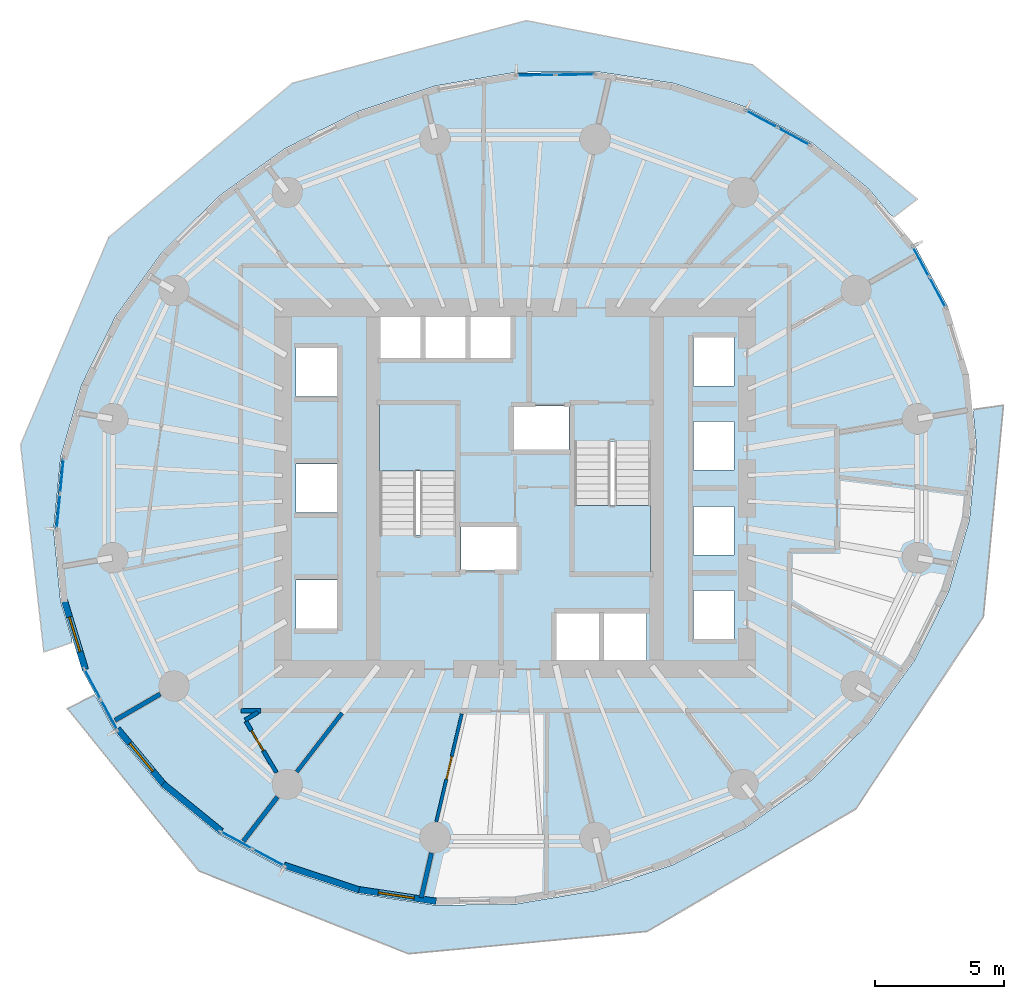
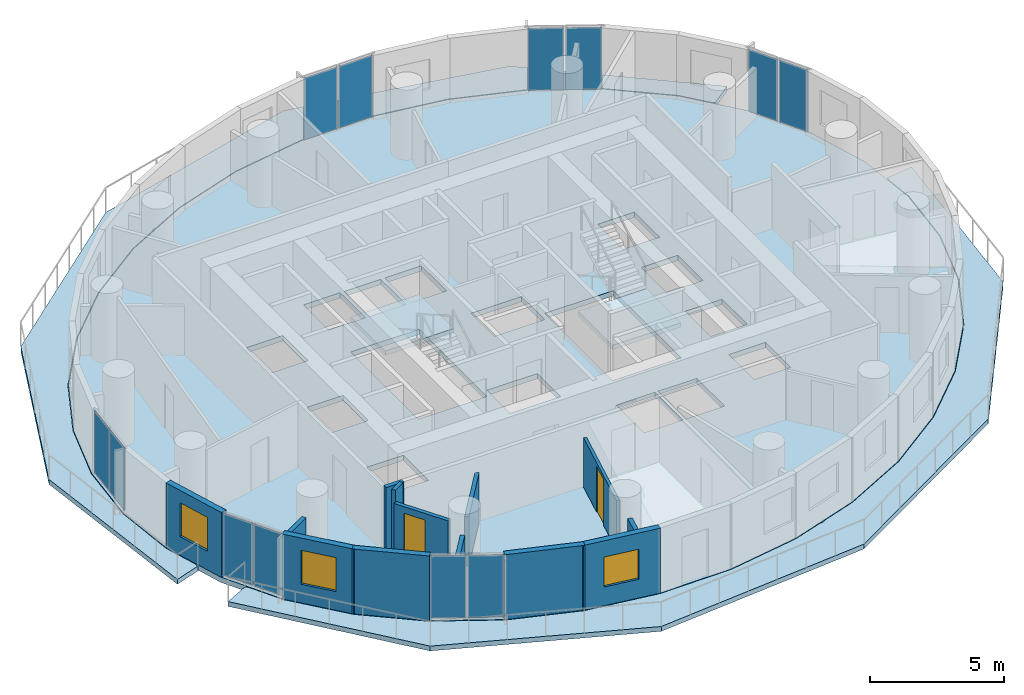
# One storey, part 6 of 14: 13 walls, 12 plates, 5 slabs, 3 windows, 2 doors, 5 openings, 8 elements without a shape of their own.
"""IFC4 building model written with IfcOpenShell, lengths in metres."""

from ifc_helpers import new_model, si_unit, direction, frame, frame_2d, origin, origin_2d, place, context, subcontext, project, spatial, polyline, rectangle, outline, extrude, material, layer, layer_set, type_object, element, fill, aggregate, save


model = new_model("IFC4")

# Units and contexts
model_context = context("Model", 3, precision=1e-05, world=origin(), true_north=direction((0.0, 1.0)))
body_context = subcontext(model_context, "Body", "Model", "MODEL_VIEW")
ifc_project = project(units=[si_unit("LENGTHUNIT", "METRE"), si_unit("AREAUNIT", "SQUARE_METRE"), si_unit("VOLUMEUNIT", "CUBIC_METRE"), si_unit("PLANEANGLEUNIT", "RADIAN"), si_unit("MASSUNIT", "GRAM", prefix="KILO")], contexts=[model_context])

# Site, building, storey
site_placement = place(None, origin())
site = spatial("IfcSite", under=ifc_project, at=site_placement, CompositionType="ELEMENT")
building_placement = place(site_placement, origin())
building = spatial("IfcBuilding", under=site, at=building_placement, Name="Veldorim Arch Residences", CompositionType="ELEMENT")
storey_placement = place(building_placement, frame((0.0, 0.0, 93.280029296875)))
storey = spatial("IfcBuildingStorey", under=building, at=storey_placement, Name="L27", CompositionType="ELEMENT", Elevation=93.280029296875)

# Slabs
ifc_material_1 = material(Name="Concrete C40/50", Category="concrete")
ifc_layer_1 = layer(ifc_material_1, 0.219970703125, Name="Planted Crescent Cantilever Balcony Slab 220")
ifc_layer_set_1 = layer_set([ifc_layer_1], Name="Concrete C40/50")
slab_type_1 = type_object("IfcSlabType", Name="Planted Crescent Cantilever Balcony Slab 220", PredefinedType="FLOOR", material=ifc_layer_set_1)
slab_1_placement = place(storey_placement, frame((0.0, 0.0, -0.219970703125)))
element("IfcSlab", 1, at=slab_1_placement, inside=storey, type_object=slab_type_1, Name="L27 planted crescent balcony slab A", PredefinedType="FLOOR", context=body_context, shape_type="SweptSolid", body=[
    extrude(outline(polyline([(46.537841796875, 34.610595703125), (45.7138671875, 35.598388671875), (43.5107421875, 37.387451171875), (40.9580078125, 38.76953125), (38.133056640625, 39.702880859375), (35.1220703125, 40.158935546875), (32.016357421875, 40.124267578125), (28.910400390625, 39.599609375), (25.898193359375, 38.601318359375), (24.527099609375, 37.902099609375), (24.356689453125, 37.854248046875), (24.228515625, 37.749755859375), (23.0712890625, 37.15966796875), (20.515625, 35.318115234375), (18.30859375, 33.132568359375), (16.517578125, 30.669677734375), (15.19677734375, 28.00390625), (14.38623046875, 25.21630859375), (14.111328125, 22.3916015625), (14.3798828125, 19.615478515625), (14.813232421875, 18.19189453125), (14.8212890625, 18.022216796875), (13.731689453125, 17.654296875), (12.83056640625, 25.695556640625), (16.251708984375, 33.730712890625), (23.368408203125, 39.70703125), (32.434326171875, 42.131591796875), (41.20703125, 40.41943359375), (47.590576171875, 35.210205078125), (46.677978515625, 34.51025390625), (46.537841796875, 34.610595703125)])), origin(), (0.0, 0.0, 1.0), 0.219970703125),
])
slab_2_placement = place(storey_placement, frame((0.0, 0.0, -0.219970703125)))
element("IfcSlab", 2, at=slab_2_placement, inside=storey, type_object=slab_type_1, Name="L27 planted crescent balcony slab B", PredefinedType="FLOOR", context=body_context, shape_type="SweptSolid", body=[
    extrude(outline(polyline([(15.791015625, 15.851806640625), (16.49951171875, 14.54345703125), (18.2861328125, 12.401611328125), (20.4892578125, 10.612548828125), (23.0419921875, 9.23046875), (25.866943359375, 8.297119140625), (28.8779296875, 7.841064453125), (31.983642578125, 7.875732421875), (35.089599609375, 8.400390625), (36.32275390625, 8.80908203125), (36.487060546875, 8.826904296875), (36.640869140625, 8.914306640625), (38.101806640625, 9.398681640625), (40.9287109375, 10.84033203125), (43.484375, 12.681884765625), (45.69140625, 14.867431640625), (47.482421875, 17.330322265625), (48.80322265625, 19.99609375), (49.61376953125, 22.78369140625), (49.888671875, 25.6083984375), (49.764892578125, 26.888427734375), (49.7919921875, 27.058837890625), (50.93115234375, 27.21630859375), (50.15234375, 19.013916015625), (45.20654296875, 11.56884765625), (37.111083984375, 6.821533203125), (27.858154296875, 5.95703125), (19.737060546875, 9.168701171875), (14.648681640625, 15.460205078125), (15.676025390625, 15.97705078125), (15.791015625, 15.851806640625)])), origin(), (0.0, 0.0, 1.0), 0.219970703125),
])

# Stair, slab
ifc_material_2 = material(Name="Concrete C40/50", Category="concrete")
stair_type = type_object("IfcStairType", Name="Reinforced Concrete Dogleg Exit Staircase", PredefinedType="HALF_TURN_STAIR", material=ifc_material_2)
stair_1_placement = place(storey_placement, origin())
stair_1 = element("IfcStair", 3, at=stair_1_placement, inside=storey, type_object=stair_type, Name="L27 Exit Staircase ST-1", PredefinedType="HALF_TURN_STAIR")
ifc_material_3 = material(Name="Concrete C40/50", Category="concrete")
ifc_layer_2 = layer(ifc_material_3, 0.199951171875, Name="Reinforced Concrete Stair Landing 200")
ifc_layer_set_2 = layer_set([ifc_layer_2], Name="Concrete C40/50")
slab_type_2 = type_object("IfcSlabType", Name="Reinforced Concrete Stair Landing 200", PredefinedType="LANDING", material=ifc_layer_set_2)
slab_3_placement = place(storey_placement, frame((0.0, 0.0, 1.39990234375)))
slab_3 = element("IfcSlab", 4, at=slab_3_placement, type_object=slab_type_2, Name="ST-1 landing 1", PredefinedType="LANDING", context=body_context, shape_type="SweptSolid", body=[
    extrude(outline(polyline([(29.7099609375, 24.669921875), (29.7099609375, 27.25), (26.75, 27.25), (26.75, 24.669921875), (29.7099609375, 24.669921875)])), origin(), (0.0, 0.0, 1.0), 0.199951171875),
])
aggregate(stair_1, [slab_3])

stair_2_placement = place(storey_placement, origin())
stair_2 = element("IfcStair", 5, at=stair_2_placement, inside=storey, type_object=stair_type, Name="L27 Exit Staircase ST-2", PredefinedType="HALF_TURN_STAIR")
slab_4_placement = place(storey_placement, frame((0.0, 0.0, 1.39990234375)))
slab_4 = element("IfcSlab", 6, at=slab_4_placement, type_object=slab_type_2, Name="ST-2 landing 1", PredefinedType="LANDING", context=body_context, shape_type="SweptSolid", body=[
    extrude(outline(polyline([(34.2900390625, 23.330078125), (34.2900390625, 20.75), (37.25, 20.75), (37.25, 23.330078125), (34.2900390625, 23.330078125)])), origin(), (0.0, 0.0, 1.0), 0.199951171875),
])
aggregate(stair_2, [slab_4])

# Slab
ifc_material_4 = material(Name="Concrete C40/50", Category="concrete")
ifc_layer_3 = layer(ifc_material_4, 0.239990234375, Name="Typical Residential Floor Slab 240")
ifc_layer_set_3 = layer_set([ifc_layer_3], Name="Concrete C40/50")
slab_type_3 = type_object("IfcSlabType", Name="Typical Residential Floor Slab 240", PredefinedType="FLOOR", material=ifc_layer_set_3)
slab_5_placement = place(storey_placement, frame((0.0, 0.0, -0.239990234375)))
element("IfcSlab", 7, at=slab_5_placement, inside=storey, type_object=slab_type_3, Name="L27 tower structural floor slab", PredefinedType="FLOOR", context=body_context, shape_type="SweptSolid", body=[
    extrude(outline(polyline([(48.79248046875, 31.017578125), (47.4794921875, 33.4423828125), (45.6962890625, 35.58056640625), (43.49658203125, 37.36669921875), (40.947998046875, 38.74658203125), (38.127197265625, 39.678466796875), (35.120361328125, 40.1337890625), (32.0185546875, 40.09912109375), (28.916259765625, 39.575439453125), (25.90771484375, 38.578125), (23.084228515625, 37.13818359375), (20.53173828125, 35.298828125), (18.32763671875, 33.1162109375), (16.5390625, 30.65673828125), (15.22021484375, 27.994873046875), (14.410888671875, 25.211669921875), (14.136474609375, 22.3916015625), (14.404541015625, 19.62060546875), (15.20751953125, 16.982421875), (16.5205078125, 14.5576171875), (18.3037109375, 12.41943359375), (20.50341796875, 10.63330078125), (23.052001953125, 9.25341796875), (25.872802734375, 8.321533203125), (28.879638671875, 7.8662109375), (31.9814453125, 7.90087890625), (35.083740234375, 8.424560546875), (38.09228515625, 9.421875), (40.915771484375, 10.86181640625), (43.46826171875, 12.701171875), (45.67236328125, 14.8837890625), (47.4609375, 17.34326171875), (48.77978515625, 20.005126953125), (49.589111328125, 22.788330078125), (49.863525390625, 25.6083984375), (49.595458984375, 28.37939453125), (48.79248046875, 31.017578125)]), holes=[polyline([(23.510009765625, 20.43994140625), (25.090087890625, 20.43994140625), (25.090087890625, 18.56005859375), (23.510009765625, 18.56005859375), (23.510009765625, 20.43994140625)]), polyline([(29.909912109375, 22.544921875), (32.090087890625, 22.544921875), (32.090087890625, 20.81494140625), (29.909912109375, 20.81494140625), (29.909912109375, 22.544921875)]), polyline([(23.510009765625, 24.93994140625), (25.090087890625, 24.93994140625), (25.090087890625, 23.06005859375), (23.510009765625, 23.06005859375), (23.510009765625, 24.93994140625)]), polyline([(26.75, 27.25), (29.7099609375, 27.25), (29.7099609375, 22.195068359375), (26.75, 22.195068359375), (26.75, 27.25)]), polyline([(23.510009765625, 29.43994140625), (25.090087890625, 29.43994140625), (25.090087890625, 27.56005859375), (23.510009765625, 27.56005859375), (23.510009765625, 29.43994140625)]), polyline([(26.760009765625, 30.7900390625), (28.340087890625, 30.7900390625), (28.340087890625, 28.909912109375), (26.760009765625, 28.909912109375), (26.760009765625, 30.7900390625)]), polyline([(28.510009765625, 30.7900390625), (30.090087890625, 30.7900390625), (30.090087890625, 28.909912109375), (28.510009765625, 28.909912109375), (28.510009765625, 30.7900390625)]), polyline([(30.260009765625, 30.7900390625), (31.840087890625, 30.7900390625), (31.840087890625, 28.909912109375), (30.260009765625, 28.909912109375), (30.260009765625, 30.7900390625)]), polyline([(33.610107421875, 19.2900390625), (35.2900390625, 19.2900390625), (35.2900390625, 17.2099609375), (33.610107421875, 17.2099609375), (33.610107421875, 19.2900390625)]), polyline([(35.409912109375, 19.2900390625), (37.090087890625, 19.2900390625), (37.090087890625, 17.2099609375), (35.409912109375, 17.2099609375), (35.409912109375, 19.2900390625)]), polyline([(38.909912109375, 20.0400390625), (40.489990234375, 20.0400390625), (40.489990234375, 18.159912109375), (38.909912109375, 18.159912109375), (38.909912109375, 20.0400390625)]), polyline([(38.909912109375, 23.2900390625), (40.489990234375, 23.2900390625), (40.489990234375, 21.409912109375), (38.909912109375, 21.409912109375), (38.909912109375, 23.2900390625)]), polyline([(34.2900390625, 25.804931640625), (37.25, 25.804931640625), (37.25, 20.75), (34.2900390625, 20.75), (34.2900390625, 25.804931640625)]), polyline([(38.909912109375, 26.590087890625), (40.489990234375, 26.590087890625), (40.489990234375, 24.7099609375), (38.909912109375, 24.7099609375), (38.909912109375, 26.590087890625)]), polyline([(31.909912109375, 27.18505859375), (34.090087890625, 27.18505859375), (34.090087890625, 25.455078125), (31.909912109375, 25.455078125), (31.909912109375, 27.18505859375)]), polyline([(38.909912109375, 29.840087890625), (40.489990234375, 29.840087890625), (40.489990234375, 27.9599609375), (38.909912109375, 27.9599609375), (38.909912109375, 29.840087890625)])]), origin(), (0.0, 0.0, 1.0), 0.239990234375),
])

# Curtain wall, plates
ifc_material_5 = material(Name="Aluminium", Category="aluminium")
curtain_wall_type = type_object("IfcCurtainWallType", Name="Zone 2 Solar-Control Unitised Curtain Wall", PredefinedType="NOTDEFINED", material=ifc_material_5)
curtain_wall_1_placement = place(storey_placement, origin())
curtain_wall_1 = element("IfcCurtainWall", 8, at=curtain_wall_1_placement, inside=storey, type_object=curtain_wall_type, Name="L27 unitised curtain wall bay 01", PredefinedType="NOTDEFINED")
ifc_material_6 = material(Name="Laminated Low-E Glass", Category="glass")
ifc_layer_4 = layer(ifc_material_6, 0.02587890625, Name="Zone 2 Solar-Control Unitised Curtain Wall Glazing Panel 26")
ifc_layer_set_4 = layer_set([ifc_layer_4], Name="Laminated Low-E Glass")
plate_type = type_object("IfcPlateType", Name="Zone 2 Solar-Control Unitised Curtain Wall Glazing Panel 26", PredefinedType="CURTAIN_PANEL", material=ifc_layer_set_4)
plate_1_placement = place(storey_placement, frame((47.736572265625, 32.779052734375, 0.06494140625), z_axis=(0.0, 0.0, 1.0), x_axis=(0.4761464591, -0.87936599291, 0.0)))
plate_1 = element("IfcPlate", 9, at=plate_1_placement, type_object=plate_type, Name="CW-Z2 panel 1.1", PredefinedType="CURTAIN_PANEL", context=body_context, shape_type="SweptSolid", body=[
    extrude(rectangle(XDim=1.28125, YDim=0.02587890625, at=origin_2d()), origin(), (0.0, 0.0, 1.0), 2.830078125),
])
plate_2_placement = place(storey_placement, frame((48.37744140625, 31.59521484375, 0.06494140625), z_axis=(0.0, 0.0, 1.0), x_axis=(0.4761464591, -0.87936599291, 0.0)))
plate_2 = element("IfcPlate", 10, at=plate_2_placement, type_object=plate_type, Name="CW-Z2 panel 2.1", PredefinedType="CURTAIN_PANEL", context=body_context, shape_type="SweptSolid", body=[
    extrude(rectangle(XDim=1.28125, YDim=0.02587890625, at=origin_2d()), origin(), (0.0, 0.0, 1.0), 2.830078125),
])
aggregate(curtain_wall_1, [plate_1, plate_2])

curtain_wall_2_placement = place(storey_placement, origin())
curtain_wall_2 = element("IfcCurtainWall", 11, at=curtain_wall_2_placement, inside=storey, type_object=curtain_wall_type, Name="L27 unitised curtain wall bay 04", PredefinedType="NOTDEFINED")
plate_3_placement = place(storey_placement, frame((41.556640625, 38.314697265625, 0.06494140625), z_axis=(0.0, 0.0, 1.0), x_axis=(0.879393091534, -0.476096408895, 0.0)))
plate_3 = element("IfcPlate", 12, at=plate_3_placement, type_object=plate_type, Name="CW-Z2 panel 1.1", PredefinedType="CURTAIN_PANEL", context=body_context, shape_type="SweptSolid", body=[
    extrude(rectangle(XDim=1.3515625, YDim=0.02587890625, at=origin_2d()), origin(), (0.0, 0.0, 1.0), 2.830078125),
])
plate_4_placement = place(storey_placement, frame((42.802490234375, 37.64013671875, 0.06494140625), z_axis=(0.0, 0.0, 1.0), x_axis=(0.879393091534, -0.476096408895, 0.0)))
plate_4 = element("IfcPlate", 13, at=plate_4_placement, type_object=plate_type, Name="CW-Z2 panel 2.1", PredefinedType="CURTAIN_PANEL", context=body_context, shape_type="SweptSolid", body=[
    extrude(rectangle(XDim=1.3515625, YDim=0.02587890625, at=origin_2d()), origin(), (0.0, 0.0, 1.0), 2.830078125),
])
aggregate(curtain_wall_2, [plate_3, plate_4])

curtain_wall_3_placement = place(storey_placement, origin())
curtain_wall_3 = element("IfcCurtainWall", 14, at=curtain_wall_3_placement, inside=storey, type_object=curtain_wall_type, Name="L27 unitised curtain wall bay 07", PredefinedType="NOTDEFINED")
plate_5_placement = place(storey_placement, frame((32.811279296875, 40.01806640625, 0.06494140625), z_axis=(0.0, 0.0, 1.0), x_axis=(0.999937426765, 0.01118671332, 0.0)))
plate_5 = element("IfcPlate", 15, at=plate_5_placement, type_object=plate_type, Name="CW-Z2 panel 1.1", PredefinedType="CURTAIN_PANEL", context=body_context, shape_type="SweptSolid", body=[
    extrude(rectangle(XDim=1.453369140625, YDim=0.02587890625, at=origin_2d()), origin(), (0.0, 0.0, 1.0), 2.830078125),
])
plate_6_placement = place(storey_placement, frame((34.32958984375, 40.03515625, 0.06494140625), z_axis=(0.0, 0.0, 1.0), x_axis=(0.999937426765, 0.01118671332, 0.0)))
plate_6 = element("IfcPlate", 16, at=plate_6_placement, type_object=plate_type, Name="CW-Z2 panel 2.1", PredefinedType="CURTAIN_PANEL", context=body_context, shape_type="SweptSolid", body=[
    extrude(rectangle(XDim=1.453369140625, YDim=0.02587890625, at=origin_2d()), origin(), (0.0, 0.0, 1.0), 2.830078125),
])
aggregate(curtain_wall_3, [plate_5, plate_6])

curtain_wall_4_placement = place(storey_placement, origin())
curtain_wall_4 = element("IfcCurtainWall", 17, at=curtain_wall_4_placement, inside=storey, type_object=curtain_wall_type, Name="L27 unitised curtain wall bay 16", PredefinedType="NOTDEFINED")
plate_7_placement = place(storey_placement, frame((14.296142578125, 23.10400390625, 0.06494140625), z_axis=(0.0, 0.0, 1.0), x_axis=(0.096914077387, 0.995292751709, 0.0)))
plate_7 = element("IfcPlate", 18, at=plate_7_placement, type_object=plate_type, Name="CW-Z2 panel 1.1", PredefinedType="CURTAIN_PANEL", context=body_context, shape_type="SweptSolid", body=[
    extrude(rectangle(XDim=1.3193359375, YDim=0.02587890625, at=origin_2d()), origin(), (0.0, 0.0, 1.0), 2.830078125),
])
plate_8_placement = place(storey_placement, frame((14.430419921875, 24.481689453125, 0.06494140625), z_axis=(0.0, 0.0, 1.0), x_axis=(0.096914077387, 0.995292751709, 0.0)))
plate_8 = element("IfcPlate", 19, at=plate_8_placement, type_object=plate_type, Name="CW-Z2 panel 2.1", PredefinedType="CURTAIN_PANEL", context=body_context, shape_type="SweptSolid", body=[
    extrude(rectangle(XDim=1.3193359375, YDim=0.02587890625, at=origin_2d()), origin(), (0.0, 0.0, 1.0), 2.830078125),
])
aggregate(curtain_wall_4, [plate_7, plate_8])

curtain_wall_5_placement = place(storey_placement, origin())
curtain_wall_5 = element("IfcCurtainWall", 20, at=curtain_wall_5_placement, inside=storey, type_object=curtain_wall_type, Name="L27 unitised curtain wall bay 19", PredefinedType="NOTDEFINED")
plate_9_placement = place(storey_placement, frame((16.263427734375, 15.220947265625, 0.06494140625), z_axis=(0.0, 0.0, 1.0), x_axis=(-0.4761464591, 0.87936599291, 0.0)))
plate_9 = element("IfcPlate", 21, at=plate_9_placement, type_object=plate_type, Name="CW-Z2 panel 1.1", PredefinedType="CURTAIN_PANEL", context=body_context, shape_type="SweptSolid", body=[
    extrude(rectangle(XDim=1.28125, YDim=0.02587890625, at=origin_2d()), origin(), (0.0, 0.0, 1.0), 2.830078125),
])
plate_10_placement = place(storey_placement, frame((15.62255859375, 16.40478515625, 0.06494140625), z_axis=(0.0, 0.0, 1.0), x_axis=(-0.4761464591, 0.87936599291, 0.0)))
plate_10 = element("IfcPlate", 22, at=plate_10_placement, type_object=plate_type, Name="CW-Z2 panel 2.1", PredefinedType="CURTAIN_PANEL", context=body_context, shape_type="SweptSolid", body=[
    extrude(rectangle(XDim=1.28125, YDim=0.02587890625, at=origin_2d()), origin(), (0.0, 0.0, 1.0), 2.830078125),
])
aggregate(curtain_wall_5, [plate_9, plate_10])

curtain_wall_6_placement = place(storey_placement, origin())
curtain_wall_6 = element("IfcCurtainWall", 23, at=curtain_wall_6_placement, inside=storey, type_object=curtain_wall_type, Name="L27 unitised curtain wall bay 22", PredefinedType="NOTDEFINED")
plate_11_placement = place(storey_placement, frame((22.443359375, 9.685302734375, 0.06494140625), z_axis=(0.0, 0.0, 1.0), x_axis=(-0.879393091534, 0.476096408895, 0.0)))
plate_11 = element("IfcPlate", 24, at=plate_11_placement, type_object=plate_type, Name="CW-Z2 panel 1.1", PredefinedType="CURTAIN_PANEL", context=body_context, shape_type="SweptSolid", body=[
    extrude(rectangle(XDim=1.3515625, YDim=0.02587890625, at=origin_2d()), origin(), (0.0, 0.0, 1.0), 2.830078125),
])
plate_12_placement = place(storey_placement, frame((21.197509765625, 10.35986328125, 0.06494140625), z_axis=(0.0, 0.0, 1.0), x_axis=(-0.879393091534, 0.476096408895, 0.0)))
plate_12 = element("IfcPlate", 25, at=plate_12_placement, type_object=plate_type, Name="CW-Z2 panel 2.1", PredefinedType="CURTAIN_PANEL", context=body_context, shape_type="SweptSolid", body=[
    extrude(rectangle(XDim=1.3515625, YDim=0.02587890625, at=origin_2d()), origin(), (0.0, 0.0, 1.0), 2.830078125),
])
aggregate(curtain_wall_6, [plate_11, plate_12])

# Wall, opening, door
ifc_material_7 = material(Name="Acoustic Gypsum Board", Category="gypsum")
ifc_layer_5 = layer(ifc_material_7, 0.125, Name="Acoustic Stud Room Partition Wall 125")
ifc_layer_set_5 = layer_set([ifc_layer_5], Name="Acoustic Gypsum Board")
wall_type_1 = type_object("IfcWallType", Name="Acoustic Stud Room Partition Wall 125", PredefinedType="PARTITIONING", material=ifc_layer_set_5)
wall_1_placement = place(storey_placement, frame((28.951171875, 11.0732421875, 0.0), z_axis=(0.0, 0.0, 1.0), x_axis=(0.229552612231, 0.973296254086, 0.0)))
wall_1 = element("IfcWall", 26, at=wall_1_placement, inside=storey, type_object=wall_type_1, Name="L27 interior wall WL-RES-L27-014", PredefinedType="PARTITIONING", context=body_context, shape_type="SweptSolid", body=[
    extrude(rectangle(XDim=4.294677734375, YDim=0.125, at=frame_2d((2.1474609375, 0.0))), origin(), (0.0, 0.0, 1.0), 2.26025390625),
])
opening_1_placement = place(wall_1_placement, frame((1.697509765625, 0.0, 0.0)))
opening_1 = element("IfcOpeningElement", 27, at=opening_1_placement, cuts=wall_1, Name="Opening DR-INT", PredefinedType="OPENING", context=body_context, shape_type="SweptSolid", body=[
    extrude(rectangle(XDim=0.89990234375, YDim=2.10009765625, at=frame_2d((0.449951171875, 1.050048828125))), frame((0.0, 0.072509765625, 0.0), z_axis=(0.0, -1.0, 0.0), x_axis=(1.0, 0.0, 0.0)), (0.0, 0.0, 1.0), 0.14501953125),
])
ifc_material_8 = material(Name="Engineered Timber", Category="wood")
door_type_1 = type_object("IfcDoorType", Name="Apartment Internal Room Timber Door 900x2100", OperationType="SINGLE_SWING_LEFT", PredefinedType="DOOR", material=ifc_material_8)
door_1_placement = place(opening_1_placement, origin())
door_1 = element("IfcDoor", 28, at=door_1_placement, inside=storey, type_object=door_type_1, Name="L27 interior door DR-RES-L27-003", OperationType="SINGLE_SWING_LEFT", OverallHeight=2.10009765625, OverallWidth=0.89990234375, PredefinedType="DOOR", context=body_context, shape_type="SweptSolid", body=[
    extrude(rectangle(XDim=0.89990234375, YDim=2.10009765625, at=frame_2d((0.449951171875, 1.050048828125))), frame((0.0, 0.02490234375, 0.0), z_axis=(0.0, -1.0, 0.0), x_axis=(1.0, 0.0, 0.0)), (0.0, 0.0, 1.0), 0.050048828125),
])
fill(opening_1, door_1)

# Walls
ifc_material_9 = material(Name="Lightweight Masonry Block & Gypsum", Category="masonry")
ifc_layer_6 = layer(ifc_material_9, 0.179931640625, Name="Compartment & Corridor Fire-Rated Party Wall 180")
ifc_layer_set_6 = layer_set([ifc_layer_6], Name="Lightweight Masonry Block & Gypsum")
wall_type_2 = type_object("IfcWallType", Name="Compartment & Corridor Fire-Rated Party Wall 180", PredefinedType="PARTITIONING", material=ifc_layer_set_6)
wall_2_placement = place(storey_placement, frame((18.243408203125, 16.022216796875, 0.0), z_axis=(0.0, 0.0, 1.0), x_axis=(-0.865025978628, -0.501727073516, 0.0)))
element("IfcWall", 29, at=wall_2_placement, inside=storey, type_object=wall_type_2, Name="L27 interior wall WL-PIER-L27-10", PredefinedType="PARTITIONING", context=body_context, shape_type="SweptSolid", body=[
    extrude(rectangle(XDim=2.033447265625, YDim=0.179931640625, at=frame_2d((1.0166015625, 0.0))), origin(), (0.0, 0.0, 1.0), 2.26025390625),
])
wall_3_placement = place(storey_placement, frame((22.7880859375, 12.034423828125, 0.0), z_axis=(0.0, 0.0, 1.0), x_axis=(-0.610026423006, -0.792381071981, 0.0)))
element("IfcWall", 30, at=wall_3_placement, inside=storey, type_object=wall_type_2, Name="L27 interior wall WL-PIER-L27-11", PredefinedType="PARTITIONING", context=body_context, shape_type="SweptSolid", body=[
    extrude(rectangle(XDim=2.16748046875, YDim=0.179931640625, at=frame_2d((1.083740234375, 0.0))), origin(), (0.0, 0.0, 1.0), 2.26025390625),
])
wall_4_placement = place(storey_placement, frame((28.759521484375, 9.86083984375, 0.0), z_axis=(0.0, 0.0, 1.0), x_axis=(-0.223406034992, -0.974725470853, 0.0)))
element("IfcWall", 31, at=wall_4_placement, inside=storey, type_object=wall_type_2, Name="L27 interior wall WL-PIER-L27-12", PredefinedType="PARTITIONING", context=body_context, shape_type="SweptSolid", body=[
    extrude(rectangle(XDim=1.779052734375, YDim=0.179931640625, at=frame_2d((0.8896484375, 0.0))), origin(), (0.0, 0.0, 1.0), 2.26025390625),
])
wall_5_placement = place(storey_placement, frame((22.1435546875, 15.3701171875, 0.0), z_axis=(0.0, 0.0, 1.0), x_axis=(-1.0, 0.0, 0.0)))
element("IfcWall", 32, at=wall_5_placement, inside=storey, type_object=wall_type_2, Name="L27 interior wall WL-RES-L27-011", PredefinedType="PARTITIONING", context=body_context, shape_type="SweptSolid", body=[
    extrude(rectangle(XDim=0.7734375, YDim=0.179931640625, at=frame_2d((0.38671875, 0.0))), origin(), (0.0, 0.0, 1.0), 2.955078125),
])

# Wall, opening, window
ifc_material_10 = material(Name="Precast concrete C40/50", Category="concrete")
ifc_layer_7 = layer(ifc_material_10, 0.25, Name="Tower Terracotta Spandrel & Pier Wall 250")
ifc_layer_set_7 = layer_set([ifc_layer_7], Name="Precast concrete C40/50")
wall_type_3 = type_object("IfcWallType", Name="Tower Terracotta Spandrel & Pier Wall 250", PredefinedType="SOLIDWALL", material=ifc_layer_set_7)
wall_6_placement = place(storey_placement, frame((15.340087890625, 16.9755859375, 0.0), z_axis=(0.0, 0.0, 1.0), x_axis=(-0.291144558409, 0.956679071637, 0.0)))
wall_6 = element("IfcWall", 33, at=wall_6_placement, inside=storey, type_object=wall_type_3, Name="L27 terracotta facade wall 18", PredefinedType="SOLIDWALL", context=body_context, shape_type="SweptSolid", body=[
    extrude(rectangle(XDim=2.84765625, YDim=0.25, at=frame_2d((1.423828125, 0.0))), origin(), (0.0, 0.0, 1.0), 2.9599609375),
])
opening_2_placement = place(wall_6_placement, frame((0.72412109375, 0.0, 0.85009765625)))
opening_2 = element("IfcOpeningElement", 34, at=opening_2_placement, cuts=wall_6, Name="Opening WN-02", PredefinedType="OPENING", context=body_context, shape_type="SweptSolid", body=[
    extrude(rectangle(XDim=1.39990234375, YDim=1.550048828125, at=frame_2d((0.699951171875, 0.77490234375))), frame((0.0, 0.135009765625, 0.0), z_axis=(0.0, -1.0, 0.0), x_axis=(1.0, 0.0, 0.0)), (0.0, 0.0, 1.0), 0.27001953125),
])
ifc_material_11 = material(Name="Laminated Low-E Glass", Category="glass")
window_type = type_object("IfcWindowType", Name="Residential Casement Window 1400x1550", PartitioningType="SINGLE_PANEL", PredefinedType="WINDOW", material=ifc_material_11)
window_1_placement = place(opening_2_placement, origin())
window_1 = element("IfcWindow", 35, at=window_1_placement, inside=storey, type_object=window_type, Name="L27 solar-control facade window 18", OverallHeight=1.550048828125, OverallWidth=1.39990234375, PartitioningType="SINGLE_PANEL", PredefinedType="WINDOW", context=body_context, shape_type="SweptSolid", body=[
    extrude(rectangle(XDim=1.39990234375, YDim=1.550048828125, at=frame_2d((0.699951171875, 0.77490234375))), frame((0.0, 0.030029296875, 0.0), z_axis=(0.0, -1.0, 0.0), x_axis=(1.0, 0.0, 0.0)), (0.0, 0.0, 1.0), 0.06005859375),
])
fill(opening_2, window_1)

wall_7_placement = place(storey_placement, frame((18.428466796875, 12.465087890625, 0.0), z_axis=(0.0, 0.0, 1.0), x_axis=(-0.640518566271, 0.76794268423, 0.0)))
wall_7 = element("IfcWall", 36, at=wall_7_placement, inside=storey, type_object=wall_type_3, Name="L27 terracotta facade wall 20", PredefinedType="SOLIDWALL", context=body_context, shape_type="SweptSolid", body=[
    extrude(rectangle(XDim=2.8740234375, YDim=0.25, at=frame_2d((1.43701171875, 0.0))), origin(), (0.0, 0.0, 1.0), 2.9599609375),
])
opening_3_placement = place(wall_7_placement, frame((0.737060546875, 0.0, 0.85009765625)))
opening_3 = element("IfcOpeningElement", 37, at=opening_3_placement, cuts=wall_7, Name="Opening WN-02", PredefinedType="OPENING", context=body_context, shape_type="SweptSolid", body=[
    extrude(rectangle(XDim=1.39990234375, YDim=1.550048828125, at=frame_2d((0.699951171875, 0.77490234375))), frame((0.0, 0.135009765625, 0.0), z_axis=(0.0, -1.0, 0.0), x_axis=(1.0, 0.0, 0.0)), (0.0, 0.0, 1.0), 0.27001953125),
])
window_2_placement = place(opening_3_placement, origin())
window_2 = element("IfcWindow", 38, at=window_2_placement, inside=storey, type_object=window_type, Name="L27 solar-control facade window 20", OverallHeight=1.550048828125, OverallWidth=1.39990234375, PartitioningType="SINGLE_PANEL", PredefinedType="WINDOW", context=body_context, shape_type="SweptSolid", body=[
    extrude(rectangle(XDim=1.39990234375, YDim=1.550048828125, at=frame_2d((0.699951171875, 0.77490234375))), frame((0.0, 0.030029296875, 0.0), z_axis=(0.0, -1.0, 0.0), x_axis=(1.0, 0.0, 0.0)), (0.0, 0.0, 1.0), 0.06005859375),
])
fill(opening_3, window_2)

# Walls
wall_8_placement = place(storey_placement, frame((20.616943359375, 10.7021484375, 0.0), z_axis=(0.0, 0.0, 1.0), x_axis=(-0.776285131062, 0.630381943976, 0.0)))
element("IfcWall", 39, at=wall_8_placement, inside=storey, type_object=wall_type_3, Name="L27 terracotta facade wall 21", PredefinedType="SOLIDWALL", context=body_context, shape_type="SweptSolid", body=[
    extrude(rectangle(XDim=2.92333984375, YDim=0.25, at=frame_2d((1.461669921875, 0.0))), origin(), (0.0, 0.0, 1.0), 2.9599609375),
])
wall_9_placement = place(storey_placement, frame((25.95458984375, 8.42626953125, 0.0), z_axis=(0.0, 0.0, 1.0), x_axis=(-0.949533409058, 0.313665913166, 0.0)))
element("IfcWall", 40, at=wall_9_placement, inside=storey, type_object=wall_type_3, Name="L27 terracotta facade wall 23", PredefinedType="SOLIDWALL", context=body_context, shape_type="SweptSolid", body=[
    extrude(rectangle(XDim=3.060546875, YDim=0.25, at=frame_2d((1.5302734375, 0.0))), origin(), (0.0, 0.0, 1.0), 2.9599609375),
])

# Wall, opening, window
wall_10_placement = place(storey_placement, frame((28.94287109375, 7.98291015625, 0.0), z_axis=(0.0, 0.0, 1.0), x_axis=(-0.988719703222, 0.149777663425, 0.0)))
wall_10 = element("IfcWall", 41, at=wall_10_placement, inside=storey, type_object=wall_type_3, Name="L27 terracotta facade wall 24", PredefinedType="SOLIDWALL", context=body_context, shape_type="SweptSolid", body=[
    extrude(rectangle(XDim=3.13134765625, YDim=0.25, at=frame_2d((1.565673828125, 0.0))), origin(), (0.0, 0.0, 1.0), 2.9599609375),
])
opening_4_placement = place(wall_10_placement, frame((0.865966796875, 0.0, 0.85009765625)))
opening_4 = element("IfcOpeningElement", 42, at=opening_4_placement, cuts=wall_10, Name="Opening WN-02", PredefinedType="OPENING", context=body_context, shape_type="SweptSolid", body=[
    extrude(rectangle(XDim=1.39990234375, YDim=1.3701171875, at=frame_2d((0.699951171875, 0.68505859375))), frame((0.0, 0.135009765625, 0.0), z_axis=(0.0, -1.0, 0.0), x_axis=(1.0, 0.0, 0.0)), (0.0, 0.0, 1.0), 0.27001953125),
])
window_3_placement = place(opening_4_placement, origin())
window_3 = element("IfcWindow", 43, at=window_3_placement, inside=storey, type_object=window_type, Name="L27 solar-control facade window 24", OverallHeight=1.3701171875, OverallWidth=1.39990234375, PartitioningType="SINGLE_PANEL", PredefinedType="WINDOW", context=body_context, shape_type="SweptSolid", body=[
    extrude(rectangle(XDim=1.39990234375, YDim=1.3701171875, at=frame_2d((0.699951171875, 0.68505859375))), frame((0.0, 0.030029296875, 0.0), z_axis=(0.0, -1.0, 0.0), x_axis=(1.0, 0.0, 0.0)), (0.0, 0.0, 1.0), 0.06005859375),
])
fill(opening_4, window_3)

# Walls
ifc_material_12 = material(Name="Moisture-Resistant Gypsum & Stud", Category="gypsum")
ifc_layer_8 = layer(ifc_material_12, 0.159912109375, Name="Wet-Area Moisture-Resistant Plumbing Wall 160")
ifc_layer_set_8 = layer_set([ifc_layer_8], Name="Moisture-Resistant Gypsum & Stud")
wall_type_4 = type_object("IfcWallType", Name="Wet-Area Moisture-Resistant Plumbing Wall 160", PredefinedType="PLUMBINGWALL", material=ifc_layer_set_8)
wall_11_placement = place(storey_placement, frame((23.5341796875, 13.00341796875, 0.0), z_axis=(0.0, 0.0, 1.0), x_axis=(0.610033601295, 0.792375545617, 0.0)))
element("IfcWall", 44, at=wall_11_placement, inside=storey, type_object=wall_type_4, Name="L27 interior wall WL-RES-L27-016", PredefinedType="PLUMBINGWALL", context=body_context, shape_type="SweptSolid", body=[
    extrude(rectangle(XDim=2.88671875, YDim=0.159912109375, at=frame_2d((1.443359375, 0.0))), origin(), (0.0, 0.0, 1.0), 2.26025390625),
])
wall_12_placement = place(storey_placement, frame((22.03759765625, 15.319091796875, 0.0), z_axis=(0.0, 0.0, 1.0), x_axis=(-0.860054653874, -0.510201913315, 0.0)))
element("IfcWall", 45, at=wall_12_placement, inside=storey, type_object=wall_type_4, Name="L27 interior wall WL-RES-L27-029", PredefinedType="PLUMBINGWALL", context=body_context, shape_type="SweptSolid", body=[
    extrude(rectangle(XDim=0.586181640625, YDim=0.159912109375, at=frame_2d((0.29296875, 0.0))), origin(), (0.0, 0.0, 1.0), 2.955078125),
])

# Wall, opening, door
wall_13_placement = place(storey_placement, frame((21.564208984375, 14.968505859375, 0.0), z_axis=(0.0, 0.0, 1.0), x_axis=(0.51007742589, -0.860128490168, 0.0)))
wall_13 = element("IfcWall", 46, at=wall_13_placement, inside=storey, type_object=wall_type_4, Name="L27 interior wall WL-RES-L27-030", PredefinedType="PLUMBINGWALL", context=body_context, shape_type="SweptSolid", body=[
    extrude(rectangle(XDim=2.311279296875, YDim=0.159912109375, at=frame_2d((1.15576171875, 0.0))), origin(), (0.0, 0.0, 1.0), 2.4033203125),
])
opening_5_placement = place(wall_13_placement, frame((0.42578125, 0.0, 0.0)))
opening_5 = element("IfcOpeningElement", 47, at=opening_5_placement, cuts=wall_13, Name="Opening DR-WC", PredefinedType="OPENING", context=body_context, shape_type="SweptSolid", body=[
    extrude(rectangle(XDim=0.89990234375, YDim=2.10009765625, at=frame_2d((0.449951171875, 1.050048828125))), frame((0.0, 0.08984375, 0.0), z_axis=(0.0, -1.0, 0.0), x_axis=(1.0, 0.0, 0.0)), (0.0, 0.0, 1.0), 0.179931640625),
])
ifc_material_13 = material(Name="Laminate Timber", Category="wood")
door_type_2 = type_object("IfcDoorType", Name="Bathroom & Accessible WC Moisture-Sealed Door 900x2100", OperationType="SINGLE_SWING_LEFT", PredefinedType="DOOR", material=ifc_material_13)
door_2_placement = place(opening_5_placement, origin())
door_2 = element("IfcDoor", 48, at=door_2_placement, inside=storey, type_object=door_type_2, Name="L27 interior door DR-RES-L27-017", OperationType="SINGLE_SWING_LEFT", OverallHeight=2.10009765625, OverallWidth=0.89990234375, PredefinedType="DOOR", context=body_context, shape_type="SweptSolid", body=[
    extrude(rectangle(XDim=0.89990234375, YDim=2.10009765625, at=frame_2d((0.449951171875, 1.050048828125))), frame((0.0, 0.02490234375, 0.0), z_axis=(0.0, -1.0, 0.0), x_axis=(1.0, 0.0, 0.0)), (0.0, 0.0, 1.0), 0.050048828125),
])
fill(opening_5, door_2)

save(model, "model.ifc")
